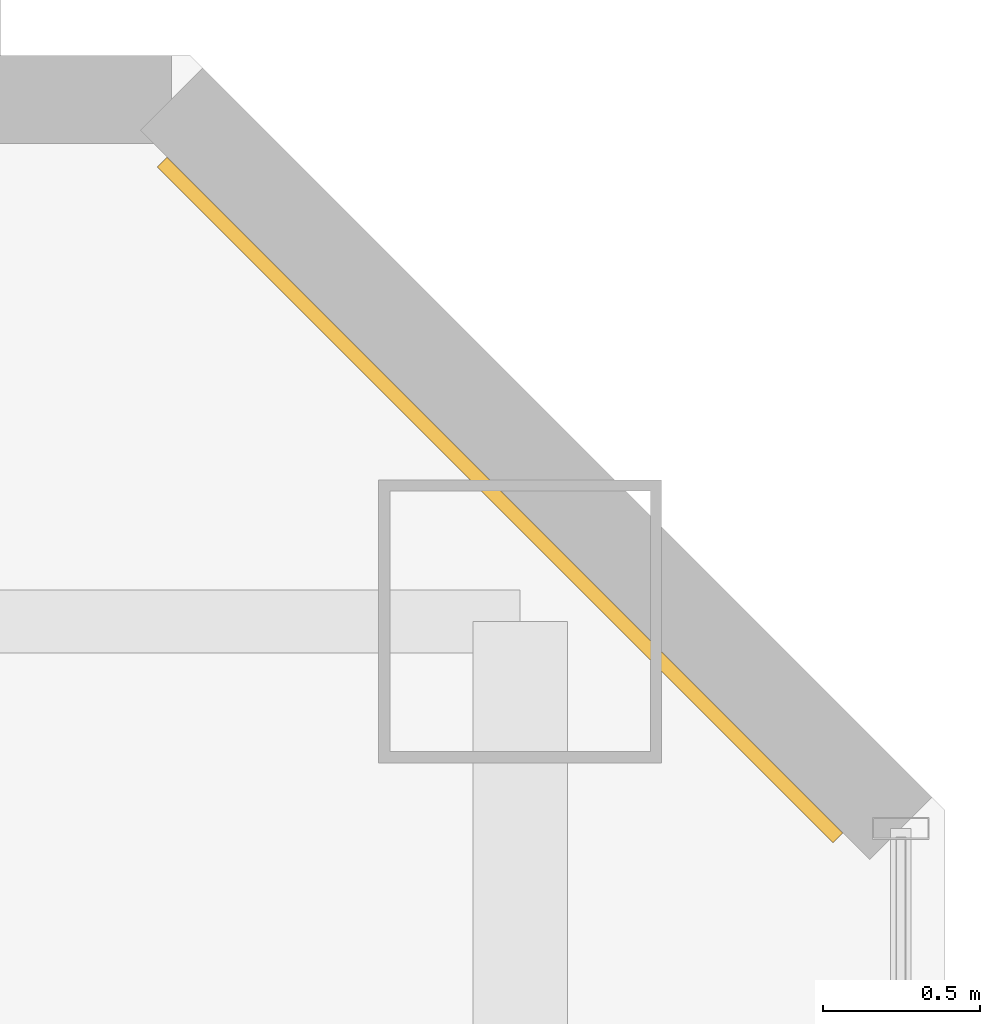
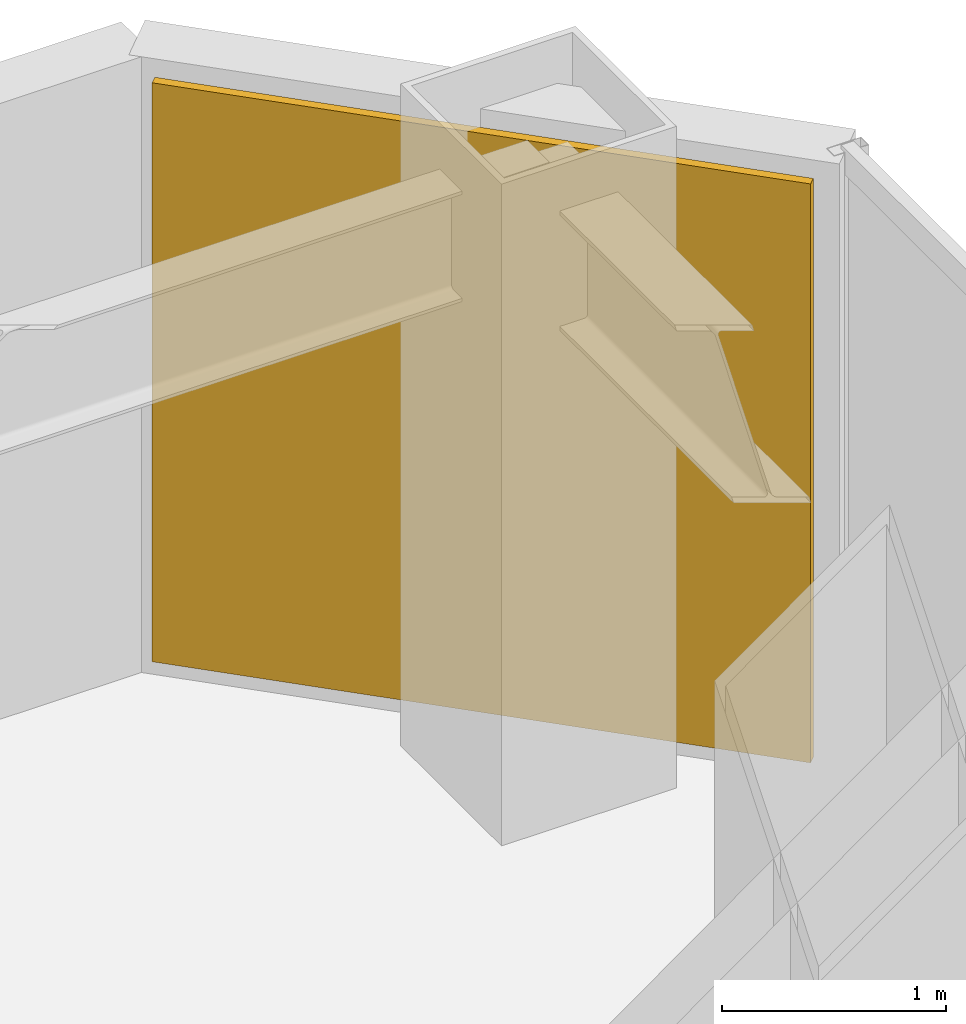
# One storey, part 30 of 30: 1 covering.
"""IFC4 building model written with IfcOpenShell, lengths in metres."""

from ifc_helpers import new_model, si_unit, direction, frame, origin, origin_2d, place, context, subcontext, project, spatial, rectangle, extrude, material, layer, layer_set, type_object, element, save


model = new_model("IFC4")

# Units and contexts
model_context = context("Model", 3, precision=1e-05, world=origin(), true_north=direction((0.0, 1.0)))
body_context = subcontext(model_context, "Body", "Model", "MODEL_VIEW")
ifc_project = project(units=[si_unit("LENGTHUNIT", "METRE"), si_unit("AREAUNIT", "SQUARE_METRE"), si_unit("VOLUMEUNIT", "CUBIC_METRE"), si_unit("PLANEANGLEUNIT", "RADIAN"), si_unit("MASSUNIT", "GRAM", prefix="KILO")], contexts=[model_context])

# Site, building, storey
site_placement = place(None, origin())
site = spatial("IfcSite", under=ifc_project, at=site_placement, CompositionType="ELEMENT")
building_placement = place(site_placement, origin())
building = spatial("IfcBuilding", under=site, at=building_placement, Name="Hatsunagi Terrace Concourse", CompositionType="ELEMENT")
storey_placement = place(building_placement, frame((0.0, 0.0, 101.25)))
storey = spatial("IfcBuildingStorey", under=building, at=storey_placement, Name="L26", CompositionType="ELEMENT", Elevation=101.25)

# Covering
ifc_material = material(Name="Unglazed Warm Terracotta Rainscreen Tile", Category="masonry")
ifc_layer = layer(ifc_material, 0.044921875)
ifc_layer_set = layer_set([ifc_layer], Name="TerracottaRainscreenCladding_45")
covering_type = type_object("IfcCoveringType", Name="TerracottaRainscreenCladding_45", PredefinedType="CLADDING", material=ifc_layer_set)
covering_placement = place(storey_placement, frame((43.5859375, 48.986083984375, 0.10009765625), z_axis=(0.0, 0.0, 1.0), x_axis=(0.707106781187, -0.707106781187, 0.0)))
element("IfcCovering", 1, at=covering_placement, inside=storey, type_object=covering_type, Name="Terracotta Rainscreen Cladding L26-12", PredefinedType="CLADDING", context=body_context, shape_type="SweptSolid", body=[
    extrude(rectangle(XDim=3.0380859375, YDim=0.044921875, at=origin_2d()), origin(), (0.0, 0.0, 1.0), 3.14990234375),
])

save(model, "model.ifc")
